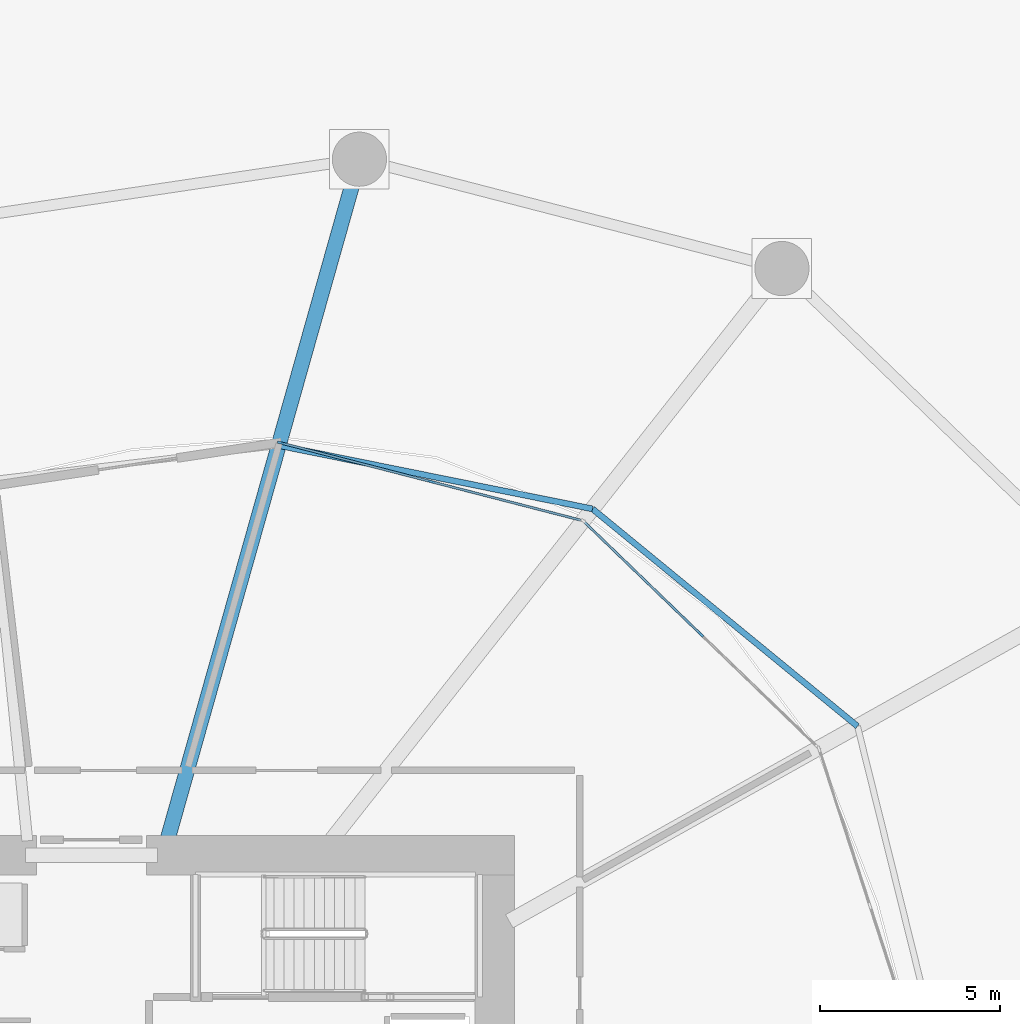
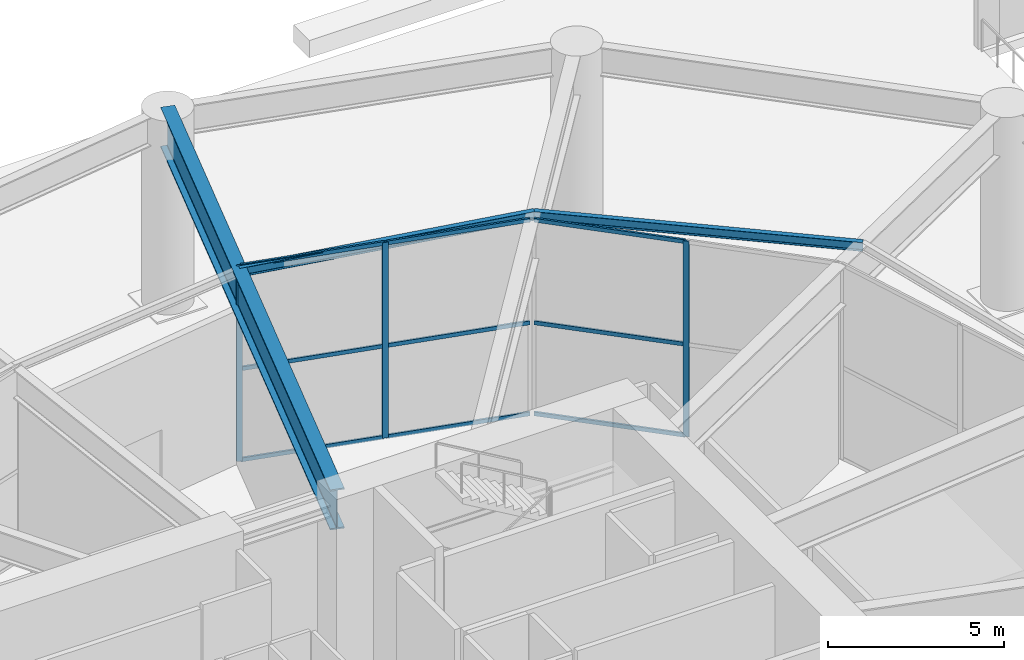
# One storey, part 13 of 28: 12 members, 3 beams, 2 elements without a shape of their own.
"""IFC4 building model written with IfcOpenShell, lengths in metres."""

from ifc_helpers import new_model, si_unit, direction, frame, origin, origin_2d, place, context, subcontext, project, spatial, rectangle, i_section, extrude, material, layer, layer_set, material_profile, profile_set, type_object, element, aggregate, save


model = new_model("IFC4")

# Units and contexts
model_context = context("Model", 3, precision=1e-05, world=origin(), true_north=direction((0.0, 1.0)))
body_context = subcontext(model_context, "Body", "Model", "MODEL_VIEW")
ifc_project = project(units=[si_unit("LENGTHUNIT", "METRE"), si_unit("AREAUNIT", "SQUARE_METRE"), si_unit("VOLUMEUNIT", "CUBIC_METRE"), si_unit("PLANEANGLEUNIT", "RADIAN"), si_unit("MASSUNIT", "GRAM", prefix="KILO")], contexts=[model_context])

# Site, building, storey
site_placement = place(None, origin())
site = spatial("IfcSite", under=ifc_project, at=site_placement, CompositionType="ELEMENT")
building_placement = place(site_placement, origin())
building = spatial("IfcBuilding", under=site, at=building_placement, Name="Kazma Halo Residences", CompositionType="ELEMENT")
storey_placement = place(building_placement, origin())
storey = spatial("IfcBuildingStorey", under=building, at=storey_placement, Name="L00", CompositionType="ELEMENT", Elevation=0.0)

# Beams
ifc_material_1 = material(Name="Steel S355", Category="steel")
ifc_material_profile_1 = material_profile(ifc_material_1, i_section(OverallWidth=0.1650390625, OverallDepth=0.31005859375, WebThickness=0.005859375, FlangeThickness=0.009765625, FilletRadius=0.011962890625, at=origin_2d()), Name="W310x38.7")
ifc_profile_set_1 = profile_set([ifc_material_profile_1], Name="Steel S355")
beam_type_1 = type_object("IfcBeamType", Name="BM-SEC-W310B", PredefinedType="JOIST", material=ifc_profile_set_1)
beam_1_placement = place(storey_placement, frame((69.64697265625, 54.122802734375, 6.64501953125), z_axis=(-0.773208794724, 0.634151527446, 0.0), x_axis=(-0.634151527446, -0.773208794724, 0.0)))
element("IfcBeam", 1, at=beam_1_placement, inside=storey, type_object=beam_type_1, Name="L00 circumferential floor joist 01", PredefinedType="JOIST", context=body_context, shape_type="SweptSolid", body=[
    extrude(i_section(OverallWidth=0.1650390625, OverallDepth=0.31005859375, WebThickness=0.005859375, FlangeThickness=0.009765625, FilletRadius=0.011962890625, at=origin_2d()), origin(), (0.0, 0.0, 1.0), 9.49658203125),
])
beam_2_placement = place(storey_placement, frame((62.30419921875, 60.14501953125, 6.64501953125), z_axis=(-0.980192243317, 0.198048393432, 0.0), x_axis=(-0.198048393432, -0.980192243317, 0.0)))
element("IfcBeam", 2, at=beam_2_placement, inside=storey, type_object=beam_type_1, Name="L00 circumferential floor joist 02", PredefinedType="JOIST", context=body_context, shape_type="SweptSolid", body=[
    extrude(i_section(OverallWidth=0.1650390625, OverallDepth=0.31005859375, WebThickness=0.005859375, FlangeThickness=0.009765625, FilletRadius=0.011962890625, at=origin_2d()), origin(), (0.0, 0.0, 1.0), 8.866943359375),
])
ifc_material_profile_2 = material_profile(ifc_material_1, i_section(OverallWidth=0.419921875, OverallDepth=1.39990234375, WebThickness=0.02587890625, FlangeThickness=0.048095703125, FilletRadius=0.02392578125, at=origin_2d()), Name="PG1400x580")
ifc_profile_set_2 = profile_set([ifc_material_profile_2], Name="Steel S355")
beam_type_2 = type_object("IfcBeamType", Name="BM-TRANS-PG1400", PredefinedType="BEAM", material=ifc_profile_set_2)
beam_3_placement = place(storey_placement, frame((50.524169921875, 50.949951171875, 6.10009765625), z_axis=(0.271433858007, 0.962457095526, 0.0), x_axis=(-0.962457095526, 0.271433858007, 0.0)))
element("IfcBeam", 3, at=beam_3_placement, inside=storey, type_object=beam_type_2, Name="L00 lobe radial plate transfer girder 03", PredefinedType="BEAM", context=body_context, shape_type="SweptSolid", body=[
    extrude(i_section(OverallWidth=0.419921875, OverallDepth=1.39990234375, WebThickness=0.02587890625, FlangeThickness=0.048095703125, FilletRadius=0.02392578125, at=origin_2d()), origin(), (0.0, 0.0, 1.0), 19.617919921875),
])

# Curtain wall, member
ifc_material_2 = material(Name="Aluminium AW-6063 T6 and Triple-Silver Low-E Glass", Category="aluminium")
ifc_layer = layer(ifc_material_2, 0.179931640625)
ifc_layer_set = layer_set([ifc_layer], Name="Aluminium AW-6063 T6 and Triple-Silver Low-E Glass")
curtain_wall_type = type_object("IfcCurtainWallType", Name="CW-SYS-1", PredefinedType="NOTDEFINED", material=ifc_layer_set)
curtain_wall_1_placement = place(storey_placement, origin())
curtain_wall_1 = element("IfcCurtainWall", 4, at=curtain_wall_1_placement, inside=storey, type_object=curtain_wall_type, Name="L00 lobby unitised curtain wall 01", PredefinedType="NOTDEFINED")
ifc_material_3 = material(Name="Aluminium AW-6063 T6", Category="aluminium")
ifc_material_profile_3 = material_profile(ifc_material_3, rectangle(XDim=0.06494140625, YDim=0.179931640625, at=origin_2d()), Name="CWM-65x180")
ifc_profile_set_3 = profile_set([ifc_material_profile_3], Name="Aluminium AW-6063 T6")
member_type_1 = type_object("IfcMemberType", Name="CW-SYS-1-MUL", PredefinedType="MULLION", material=ifc_profile_set_3)
member_1_placement = place(storey_placement, frame((65.307861328125, 56.66796875, 0.0), z_axis=(0.0, 0.0, 1.0), x_axis=(-0.694293926432, -0.719691561517, 0.0)))
member_1 = element("IfcMember", 5, at=member_1_placement, type_object=member_type_1, Name="CWS-1 mullion 2", PredefinedType="MULLION", context=body_context, shape_type="SweptSolid", body=[
    extrude(rectangle(XDim=0.06494140625, YDim=0.179931640625, at=origin_2d()), origin(), (0.0, 0.0, 1.0), 6.800048828125),
])

# Curtain wall, members
curtain_wall_2_placement = place(storey_placement, origin())
curtain_wall_2 = element("IfcCurtainWall", 6, at=curtain_wall_2_placement, inside=storey, type_object=curtain_wall_type, Name="L00 lobby unitised curtain wall 02", PredefinedType="NOTDEFINED")
member_2_placement = place(storey_placement, frame((57.840087890625, 60.8984375, 0.0), z_axis=(0.0, 0.0, 1.0), x_axis=(-0.24934686039, -0.968414241538, 0.0)))
member_2 = element("IfcMember", 7, at=member_2_placement, type_object=member_type_1, Name="CWS-1 mullion 2", PredefinedType="MULLION", context=body_context, shape_type="SweptSolid", body=[
    extrude(rectangle(XDim=0.06494140625, YDim=0.179931640625, at=origin_2d()), origin(), (0.0, 0.0, 1.0), 6.800048828125),
])
member_3_placement = place(storey_placement, frame((53.666748046875, 61.97314453125, 0.0), z_axis=(0.0, 0.0, 1.0), x_axis=(-0.24934686039, -0.968414241538, 0.0)))
member_3 = element("IfcMember", 8, at=member_3_placement, type_object=member_type_1, Name="CWS-1 mullion 3", PredefinedType="MULLION", context=body_context, shape_type="SweptSolid", body=[
    extrude(rectangle(XDim=0.06494140625, YDim=0.179931640625, at=origin_2d()), origin(), (0.0, 0.0, 1.0), 6.800048828125),
])

# Member
ifc_material_profile_4 = material_profile(ifc_material_3, rectangle(XDim=0.06494140625, YDim=0.135009765625, at=origin_2d()), Name="CWT-65x135")
ifc_profile_set_4 = profile_set([ifc_material_profile_4], Name="Aluminium AW-6063 T6")
member_type_2 = type_object("IfcMemberType", Name="CW-SYS-1-TRN", PredefinedType="USERDEFINED", material=ifc_profile_set_4)
member_4_placement = place(storey_placement, frame((65.284423828125, 56.690673828125, 0.032470703125), z_axis=(-0.719678300168, 0.694307672626, 0.0), x_axis=(-0.694307672626, -0.719678300168, 0.0)))
member_4 = element("IfcMember", 9, at=member_4_placement, type_object=member_type_2, Name="CWS-1 transom 2.1", ObjectType="TRANSOM", PredefinedType="USERDEFINED", context=body_context, shape_type="SweptSolid", body=[
    extrude(rectangle(XDim=0.06494140625, YDim=0.135009765625, at=origin_2d()), origin(), (0.0, 0.0, 1.0), 4.436279296875),
])

member_5_placement = place(storey_placement, frame((65.284423828125, 56.690673828125, 3.199951171875), z_axis=(-0.719678300168, 0.694307672626, 0.0), x_axis=(-0.694307672626, -0.719678300168, 0.0)))
member_5 = element("IfcMember", 10, at=member_5_placement, type_object=member_type_2, Name="CWS-1 transom 2.2", ObjectType="TRANSOM", PredefinedType="USERDEFINED", context=body_context, shape_type="SweptSolid", body=[
    extrude(rectangle(XDim=0.06494140625, YDim=0.135009765625, at=origin_2d()), origin(), (0.0, 0.0, 1.0), 4.436279296875),
])

member_6_placement = place(storey_placement, frame((65.284423828125, 56.690673828125, 6.767578125), z_axis=(-0.719678300168, 0.694307672626, 0.0), x_axis=(-0.694307672626, -0.719678300168, 0.0)))
member_6 = element("IfcMember", 11, at=member_6_placement, type_object=member_type_2, Name="CWS-1 transom 2.3", ObjectType="TRANSOM", PredefinedType="USERDEFINED", context=body_context, shape_type="SweptSolid", body=[
    extrude(rectangle(XDim=0.06494140625, YDim=0.135009765625, at=origin_2d()), origin(), (0.0, 0.0, 1.0), 4.436279296875),
])

aggregate(curtain_wall_1, [member_1, member_4, member_5, member_6])

member_7_placement = place(storey_placement, frame((61.98193359375, 59.83203125, 0.032470703125), z_axis=(-0.968413208932, 0.249350870796, 0.0), x_axis=(-0.249350870796, -0.968413208932, 0.0)))
member_7 = element("IfcMember", 12, at=member_7_placement, type_object=member_type_2, Name="CWS-1 transom 1.1", ObjectType="TRANSOM", PredefinedType="USERDEFINED", context=body_context, shape_type="SweptSolid", body=[
    extrude(rectangle(XDim=0.06494140625, YDim=0.135009765625, at=origin_2d()), origin(), (0.0, 0.0, 1.0), 4.244384765625),
])

member_8_placement = place(storey_placement, frame((61.98193359375, 59.83203125, 3.199951171875), z_axis=(-0.968413208932, 0.249350870796, 0.0), x_axis=(-0.249350870796, -0.968413208932, 0.0)))
member_8 = element("IfcMember", 13, at=member_8_placement, type_object=member_type_2, Name="CWS-1 transom 1.2", ObjectType="TRANSOM", PredefinedType="USERDEFINED", context=body_context, shape_type="SweptSolid", body=[
    extrude(rectangle(XDim=0.06494140625, YDim=0.135009765625, at=origin_2d()), origin(), (0.0, 0.0, 1.0), 4.244384765625),
])

member_9_placement = place(storey_placement, frame((61.98193359375, 59.83203125, 6.767578125), z_axis=(-0.968413208932, 0.249350870796, 0.0), x_axis=(-0.249350870796, -0.968413208932, 0.0)))
member_9 = element("IfcMember", 14, at=member_9_placement, type_object=member_type_2, Name="CWS-1 transom 1.3", ObjectType="TRANSOM", PredefinedType="USERDEFINED", context=body_context, shape_type="SweptSolid", body=[
    extrude(rectangle(XDim=0.06494140625, YDim=0.135009765625, at=origin_2d()), origin(), (0.0, 0.0, 1.0), 4.244384765625),
])

member_10_placement = place(storey_placement, frame((57.80859375, 60.90673828125, 0.032470703125), z_axis=(-0.968413208932, 0.249350870796, 0.0), x_axis=(-0.249350870796, -0.968413208932, 0.0)))
member_10 = element("IfcMember", 15, at=member_10_placement, type_object=member_type_2, Name="CWS-1 transom 2.1", ObjectType="TRANSOM", PredefinedType="USERDEFINED", context=body_context, shape_type="SweptSolid", body=[
    extrude(rectangle(XDim=0.06494140625, YDim=0.135009765625, at=origin_2d()), origin(), (0.0, 0.0, 1.0), 4.244384765625),
])

member_11_placement = place(storey_placement, frame((57.80859375, 60.90673828125, 3.199951171875), z_axis=(-0.968413208932, 0.249350870796, 0.0), x_axis=(-0.249350870796, -0.968413208932, 0.0)))
member_11 = element("IfcMember", 16, at=member_11_placement, type_object=member_type_2, Name="CWS-1 transom 2.2", ObjectType="TRANSOM", PredefinedType="USERDEFINED", context=body_context, shape_type="SweptSolid", body=[
    extrude(rectangle(XDim=0.06494140625, YDim=0.135009765625, at=origin_2d()), origin(), (0.0, 0.0, 1.0), 4.244384765625),
])

member_12_placement = place(storey_placement, frame((57.80859375, 60.90673828125, 6.767578125), z_axis=(-0.968413208932, 0.249350870796, 0.0), x_axis=(-0.249350870796, -0.968413208932, 0.0)))
member_12 = element("IfcMember", 17, at=member_12_placement, type_object=member_type_2, Name="CWS-1 transom 2.3", ObjectType="TRANSOM", PredefinedType="USERDEFINED", context=body_context, shape_type="SweptSolid", body=[
    extrude(rectangle(XDim=0.06494140625, YDim=0.135009765625, at=origin_2d()), origin(), (0.0, 0.0, 1.0), 4.244384765625),
])

aggregate(curtain_wall_2, [member_2, member_3, member_7, member_8, member_9, member_10, member_11, member_12])

save(model, "model.ifc")
